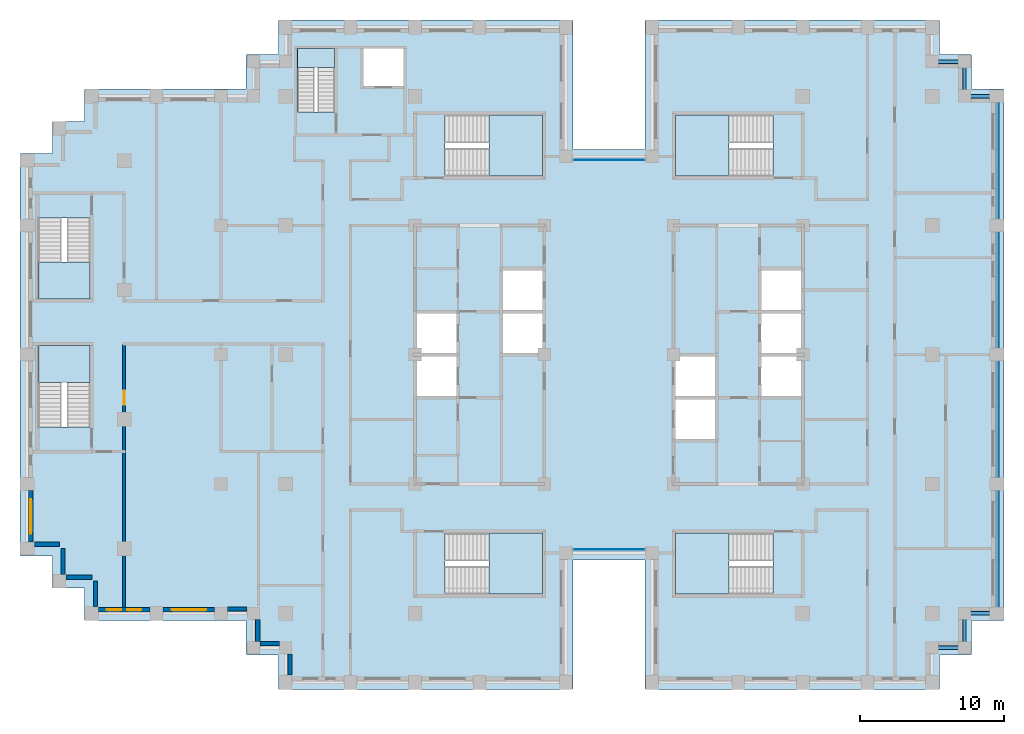
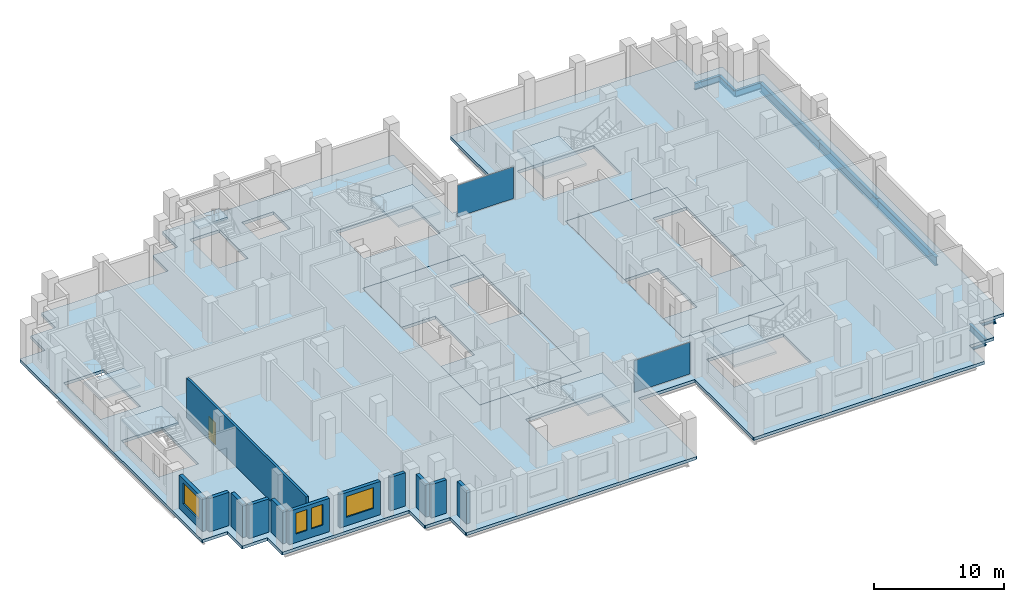
# One storey, part 5 of 15: 12 walls, 10 beams, 10 slabs, 4 windows, 2 plates, 1 door, 5 openings, 9 elements without a shape of their own.
"""IFC4 building model written with IfcOpenShell, lengths in metres."""

from ifc_helpers import new_model, si_unit, direction, frame, frame_2d, origin, origin_2d, place, context, subcontext, project, spatial, polyline, rectangle, i_section, outline, extrude, material, layer, layer_set, material_profile, profile_set, type_object, element, fill, aggregate, save


model = new_model("IFC4")

# Units and contexts
model_context = context("Model", 3, precision=1e-05, world=origin(), true_north=direction((0.0, 1.0)))
body_context = subcontext(model_context, "Body", "Model", "MODEL_VIEW")
ifc_project = project(units=[si_unit("LENGTHUNIT", "METRE"), si_unit("AREAUNIT", "SQUARE_METRE"), si_unit("VOLUMEUNIT", "CUBIC_METRE"), si_unit("PLANEANGLEUNIT", "RADIAN"), si_unit("MASSUNIT", "GRAM", prefix="KILO")], contexts=[model_context])

# Site, building, storey
site_placement = place(None, origin())
site = spatial("IfcSite", under=ifc_project, at=site_placement, CompositionType="ELEMENT")
building_placement = place(site_placement, origin())
building = spatial("IfcBuilding", under=site, at=building_placement, Name="Corbelhall Arena Tower", CompositionType="ELEMENT")
storey_placement = place(building_placement, frame((0.0, 0.0, 192.0)))
storey = spatial("IfcBuildingStorey", under=building, at=storey_placement, Name="L39", CompositionType="ELEMENT", Elevation=192.0)

# Beams
ifc_material_1 = material(Name="Steel ASTM A992 Gr50", Category="steel")
ifc_material_profile_1 = material_profile(ifc_material_1, i_section(OverallWidth=0.228271484375, OverallDepth=0.607177734375, WebThickness=0.01123046875, FlangeThickness=0.017333984375, at=origin_2d()))
ifc_profile_set_1 = profile_set([ifc_material_profile_1], Name="Steel ASTM A992 Gr50")
beam_type_1 = type_object("IfcBeamType", Name="ST-SPANDREL-W24x76", PredefinedType="SPANDREL", material=ifc_profile_set_1)
for number, where, z_axis, x_axis, name in (
    (1, (27.0, -18.0, -0.58349609375), (-1.0, 0.0, 0.0), (0.0, -1.0, 0.0), "Beam SP 12"),
    (2, (22.5, 20.39990234375, -0.58349609375), (1.0, 0.0, 0.0), (0.0, 1.0, 0.0), "Beam SP 39"),
):
    element("IfcBeam", number, at=place(storey_placement, frame(where, z_axis=z_axis, x_axis=x_axis)), inside=storey, type_object=beam_type_1, Name=name, PredefinedType="SPANDREL", context=body_context, shape_type="SweptSolid", body=[
        extrude(i_section(OverallWidth=0.228271484375, OverallDepth=0.607177734375, WebThickness=0.01123046875, FlangeThickness=0.017333984375, at=origin_2d()), origin(), (0.0, 0.0, 1.0), 2.25),
    ])
beam_1_placement = place(storey_placement, frame((24.75, 20.39990234375, -0.58349609375), z_axis=(0.0, -1.0, 0.0), x_axis=(1.0, 0.0, 0.0)))
element("IfcBeam", 3, at=beam_1_placement, inside=storey, type_object=beam_type_1, Name="Beam SP 40", PredefinedType="SPANDREL", context=body_context, shape_type="SweptSolid", body=[
    extrude(i_section(OverallWidth=0.228271484375, OverallDepth=0.607177734375, WebThickness=0.01123046875, FlangeThickness=0.017333984375, at=origin_2d()), origin(), (0.0, 0.0, 1.0), 2.39990234375),
])
for number, where, z_axis, x_axis, name in (
    (4, (24.75, 18.0, -0.58349609375), (1.0, 0.0, 0.0), (0.0, 1.0, 0.0), "Beam SP 41"),
    (5, (24.75, -20.39990234375, -0.58349609375), (-1.0, 0.0, 0.0), (0.0, -1.0, 0.0), "Beam SP 46"),
):
    element("IfcBeam", number, at=place(storey_placement, frame(where, z_axis=z_axis, x_axis=x_axis)), inside=storey, type_object=beam_type_1, Name=name, PredefinedType="SPANDREL", context=body_context, shape_type="SweptSolid", body=[
        extrude(i_section(OverallWidth=0.228271484375, OverallDepth=0.607177734375, WebThickness=0.01123046875, FlangeThickness=0.017333984375, at=origin_2d()), origin(), (0.0, 0.0, 1.0), 2.25),
    ])
beam_2_placement = place(storey_placement, frame((24.75, -18.0, -0.58349609375), z_axis=(0.0, -1.0, 0.0), x_axis=(1.0, 0.0, 0.0)))
element("IfcBeam", 6, at=beam_2_placement, inside=storey, type_object=beam_type_1, Name="Beam SP 47", PredefinedType="SPANDREL", context=body_context, shape_type="SweptSolid", body=[
    extrude(i_section(OverallWidth=0.228271484375, OverallDepth=0.607177734375, WebThickness=0.01123046875, FlangeThickness=0.017333984375, at=origin_2d()), origin(), (0.0, 0.0, 1.0), 2.39990234375),
])
ifc_material_profile_2 = material_profile(ifc_material_1, i_section(OverallWidth=0.2919921875, OverallDepth=0.845703125, WebThickness=0.015380859375, FlangeThickness=0.0244140625, at=origin_2d()))
ifc_profile_set_2 = profile_set([ifc_material_profile_2], Name="Steel ASTM A992 Gr50")
beam_type_2 = type_object("IfcBeamType", Name="ST-SPANDREL-W33x141", PredefinedType="SPANDREL", material=ifc_profile_set_2)
for number, where, z_axis, x_axis, name in (
    (7, (27.0, 0.0, -0.702880859375), (0.0, -1.0, 0.0), (1.0, 0.0, 0.0), "Beam SP 8"),
    (8, (27.0, 9.0, -0.702880859375), (0.0, -1.0, 0.0), (1.0, 0.0, 0.0), "Beam SP 9"),
    (9, (27.0, 18.0, -0.702880859375), (0.0, -1.0, 0.0), (1.0, 0.0, 0.0), "Beam SP 10"),
    (10, (27.0, -9.0, -0.702880859375), (0.0, -1.0, 0.0), (1.0, 0.0, 0.0), "Beam SP 11"),
):
    element("IfcBeam", number, at=place(storey_placement, frame(where, z_axis=z_axis, x_axis=x_axis)), inside=storey, type_object=beam_type_2, Name=name, PredefinedType="SPANDREL", context=body_context, shape_type="SweptSolid", body=[
        extrude(i_section(OverallWidth=0.2919921875, OverallDepth=0.845703125, WebThickness=0.015380859375, FlangeThickness=0.0244140625, at=origin_2d()), origin(), (0.0, 0.0, 1.0), 9.0),
    ])

# Curtain wall, plate
ifc_material_2 = material(Name="Aluminium black anodised", Category="aluminium")
ifc_layer_1 = layer(ifc_material_2, 0.199951171875)
ifc_layer_set_1 = layer_set([ifc_layer_1], Name="EV-CW1 Slot back wall")
curtain_wall_type = type_object("IfcCurtainWallType", Name="EV-CW1 Slot back wall", PredefinedType="NOTDEFINED", material=ifc_layer_set_1)
curtain_wall_1_placement = place(storey_placement, origin())
curtain_wall_1 = element("IfcCurtainWall", 11, at=curtain_wall_1_placement, inside=storey, type_object=curtain_wall_type, Name="Curtain wall CW1", PredefinedType="NOTDEFINED")
ifc_material_3 = material(Name="Glass dark tinted laminated", Category="glass")
ifc_layer_2 = layer(ifc_material_3, 0.028076171875)
ifc_layer_set_2 = layer_set([ifc_layer_2], Name="EV-CW1-PANEL")
plate_type = type_object("IfcPlateType", Name="EV-CW1-PANEL", PredefinedType="CURTAIN_PANEL", material=ifc_layer_set_2)
plate_1_placement = place(storey_placement, frame((0.0, -13.550048828125, 0.0751953125), z_axis=(0.0, 0.0, 1.0), x_axis=(1.0, 0.0, 0.0)))
plate_1 = element("IfcPlate", 12, at=plate_1_placement, type_object=plate_type, Name="CW1 panel 1.1", PredefinedType="CURTAIN_PANEL", context=body_context, shape_type="SweptSolid", body=[
    extrude(rectangle(XDim=4.949951171875, YDim=0.028076171875, at=origin_2d()), origin(), (0.0, 0.0, 1.0), 2.969970703125),
])
aggregate(curtain_wall_1, [plate_1])

curtain_wall_2_placement = place(storey_placement, origin())
curtain_wall_2 = element("IfcCurtainWall", 13, at=curtain_wall_2_placement, inside=storey, type_object=curtain_wall_type, Name="Curtain wall CW1", PredefinedType="NOTDEFINED")
plate_2_placement = place(storey_placement, frame((0.0, 13.550048828125, 0.0751953125), z_axis=(0.0, 0.0, 1.0), x_axis=(-1.0, 0.0, 0.0)))
plate_2 = element("IfcPlate", 14, at=plate_2_placement, type_object=plate_type, Name="CW1 panel 1.1", PredefinedType="CURTAIN_PANEL", context=body_context, shape_type="SweptSolid", body=[
    extrude(rectangle(XDim=4.949951171875, YDim=0.028076171875, at=origin_2d()), origin(), (0.0, 0.0, 1.0), 2.969970703125),
])
aggregate(curtain_wall_2, [plate_2])

# Slabs
ifc_material_4 = material(Name="Concrete C40/50", Category="concrete")
ifc_layer_3 = layer(ifc_material_4, 0.300048828125)
ifc_layer_set_3 = layer_set([ifc_layer_3], Name="IN-SL-CORE")
slab_type_1 = type_object("IfcSlabType", Name="IN-SL-CORE", PredefinedType="FLOOR", material=ifc_layer_set_3)
slab_1_placement = place(storey_placement, frame((0.0, 0.0, -0.280029296875)))
element("IfcSlab", 15, at=slab_1_placement, inside=storey, type_object=slab_type_1, Name="Core floor W", PredefinedType="FLOOR", context=body_context, shape_type="SweptSolid", body=[
    extrude(outline(polyline([(-10.5, -3.0), (-13.5, -3.0), (-13.5, -9.0), (-4.5, -9.0), (-4.5, 0.0), (-7.5, 0.0), (-7.5, 3.0), (-7.5, 6.0), (-4.5, 6.0), (-4.5, 9.0), (-13.5, 9.0), (-13.5, 3.0), (-10.5, 3.0), (-10.5, 0.0), (-10.5, -3.0)])), origin(), (0.0, 0.0, 1.0), 0.280029296875),
])
slab_2_placement = place(storey_placement, frame((0.0, 0.0, -0.280029296875)))
element("IfcSlab", 16, at=slab_2_placement, inside=storey, type_object=slab_type_1, Name="Core floor E", PredefinedType="FLOOR", context=body_context, shape_type="SweptSolid", body=[
    extrude(outline(polyline([(13.5, -3.0), (10.5, -3.0), (10.5, 0.0), (10.5, 3.0), (10.5, 6.0), (13.5, 6.0), (13.5, 9.0), (4.5, 9.0), (4.5, 0.0), (7.5, 0.0), (7.5, -3.0), (7.5, -6.0), (4.5, -6.0), (4.5, -9.0), (13.5, -9.0), (13.5, -3.0)])), origin(), (0.0, 0.0, 1.0), 0.280029296875),
])

# Stair, slab
stair_type = type_object("IfcStairType", Name="IN-ST-TOWER", PredefinedType="HALF_TURN_STAIR", material=ifc_material_4)
stair_1_placement = place(storey_placement, origin())
stair_1 = element("IfcStair", 17, at=stair_1_placement, inside=storey, type_object=stair_type, Name="L39 Exit stair ST1", PredefinedType="HALF_TURN_STAIR")
ifc_layer_4 = layer(ifc_material_4, 0.199951171875)
ifc_layer_set_4 = layer_set([ifc_layer_4], Name="IN-SL-LANDING")
slab_type_2 = type_object("IfcSlabType", Name="IN-SL-LANDING", PredefinedType="LANDING", material=ifc_layer_set_4)
slab_3_placement = place(storey_placement, frame((0.0, 0.0, 1.800048828125)))
slab_3 = element("IfcSlab", 18, at=slab_3_placement, type_object=slab_type_2, Name="ST1 landing 1", PredefinedType="LANDING", context=body_context, shape_type="SweptSolid", body=[
    extrude(outline(polyline([(-8.344970703125, 12.425048828125), (-4.625, 12.425048828125), (-4.625, 16.675048828125), (-8.344970703125, 16.675048828125), (-8.344970703125, 12.425048828125)])), origin(), (0.0, 0.0, 1.0), 0.199951171875),
])
aggregate(stair_1, [slab_3])

stair_2_placement = place(storey_placement, origin())
stair_2 = element("IfcStair", 19, at=stair_2_placement, inside=storey, type_object=stair_type, Name="L39 Exit stair ST2", PredefinedType="HALF_TURN_STAIR")
slab_4_placement = place(storey_placement, frame((0.0, 0.0, 1.800048828125)))
slab_4 = element("IfcSlab", 20, at=slab_4_placement, type_object=slab_type_2, Name="ST2 landing 1", PredefinedType="LANDING", context=body_context, shape_type="SweptSolid", body=[
    extrude(outline(polyline([(-8.344970703125, -16.675048828125), (-4.625, -16.675048828125), (-4.625, -12.425048828125), (-8.344970703125, -12.425048828125), (-8.344970703125, -16.675048828125)])), origin(), (0.0, 0.0, 1.0), 0.199951171875),
])
aggregate(stair_2, [slab_4])

stair_3_placement = place(storey_placement, origin())
stair_3 = element("IfcStair", 21, at=stair_3_placement, inside=storey, type_object=stair_type, Name="L39 Exit stair ST3", PredefinedType="HALF_TURN_STAIR")
slab_5_placement = place(storey_placement, frame((0.0, 0.0, 1.800048828125)))
slab_5 = element("IfcSlab", 22, at=slab_5_placement, type_object=slab_type_2, Name="ST3 landing 1", PredefinedType="LANDING", context=body_context, shape_type="SweptSolid", body=[
    extrude(outline(polyline([(8.344970703125, 16.675048828125), (4.625, 16.675048828125), (4.625, 12.425048828125), (8.344970703125, 12.425048828125), (8.344970703125, 16.675048828125)])), origin(), (0.0, 0.0, 1.0), 0.199951171875),
])
aggregate(stair_3, [slab_5])

stair_4_placement = place(storey_placement, origin())
stair_4 = element("IfcStair", 23, at=stair_4_placement, inside=storey, type_object=stair_type, Name="L39 Exit stair ST4", PredefinedType="HALF_TURN_STAIR")
slab_6_placement = place(storey_placement, frame((0.0, 0.0, 1.800048828125)))
slab_6 = element("IfcSlab", 24, at=slab_6_placement, type_object=slab_type_2, Name="ST4 landing 1", PredefinedType="LANDING", context=body_context, shape_type="SweptSolid", body=[
    extrude(outline(polyline([(8.344970703125, -12.425048828125), (4.625, -12.425048828125), (4.625, -16.675048828125), (8.344970703125, -16.675048828125), (8.344970703125, -12.425048828125)])), origin(), (0.0, 0.0, 1.0), 0.199951171875),
])
aggregate(stair_4, [slab_6])

stair_5_placement = place(storey_placement, origin())
stair_5 = element("IfcStair", 25, at=stair_5_placement, inside=storey, type_object=stair_type, Name="L39 Exit stair SC1", PredefinedType="HALF_TURN_STAIR")
slab_7_placement = place(storey_placement, frame((0.0, 0.0, 1.800048828125)))
slab_7 = element("IfcSlab", 26, at=slab_7_placement, type_object=slab_type_2, Name="SC1 landing 1", PredefinedType="LANDING", context=body_context, shape_type="SweptSolid", body=[
    extrude(outline(polyline([(-39.699951171875, 6.445068359375), (-39.699951171875, 3.875), (-36.125, 3.875), (-36.125, 6.445068359375), (-39.699951171875, 6.445068359375)])), origin(), (0.0, 0.0, 1.0), 0.199951171875),
])
aggregate(stair_5, [slab_7])

stair_6_placement = place(storey_placement, origin())
stair_6 = element("IfcStair", 27, at=stair_6_placement, inside=storey, type_object=stair_type, Name="L39 Exit stair SC2", PredefinedType="HALF_TURN_STAIR")
slab_8_placement = place(storey_placement, frame((0.0, 0.0, 1.800048828125)))
slab_8 = element("IfcSlab", 28, at=slab_8_placement, type_object=slab_type_2, Name="SC2 landing 1", PredefinedType="LANDING", context=body_context, shape_type="SweptSolid", body=[
    extrude(outline(polyline([(-36.125, -1.945068359375), (-36.125, 0.625), (-39.699951171875, 0.625), (-39.699951171875, -1.945068359375), (-36.125, -1.945068359375)])), origin(), (0.0, 0.0, 1.0), 0.199951171875),
])
aggregate(stair_6, [slab_8])

stair_7_placement = place(storey_placement, origin())
stair_7 = element("IfcStair", 29, at=stair_7_placement, inside=storey, type_object=stair_type, Name="L39 Exit stair ST5", PredefinedType="HALF_TURN_STAIR")
slab_9_placement = place(storey_placement, frame((0.0, 0.0, 1.800048828125)))
slab_9 = element("IfcSlab", 30, at=slab_9_placement, type_object=slab_type_2, Name="ST5 landing 1", PredefinedType="LANDING", context=body_context, shape_type="SweptSolid", body=[
    extrude(outline(polyline([(-19.094970703125, 19.97998046875), (-19.094970703125, 21.300048828125), (-21.695068359375, 21.300048828125), (-21.695068359375, 19.97998046875), (-19.094970703125, 19.97998046875)])), origin(), (0.0, 0.0, 1.0), 0.199951171875),
])
aggregate(stair_7, [slab_9])

# Slab
ifc_layer_5 = layer(ifc_material_4, 0.280029296875)
ifc_layer_set_5 = layer_set([ifc_layer_5], Name="ST-SLAB-FLOOR-280")
slab_type_3 = type_object("IfcSlabType", Name="ST-SLAB-FLOOR-280", PredefinedType="FLOOR", material=ifc_layer_set_5)
slab_10_placement = place(storey_placement, frame((0.0, 0.0, -0.280029296875)))
element("IfcSlab", 31, at=slab_10_placement, inside=storey, type_object=slab_type_3, Name="Floor slab L39 1", PredefinedType="FLOOR", context=body_context, shape_type="SweptSolid", body=[
    extrude(outline(polyline([(23.0, 23.25), (22.949951171875, 23.300048828125), (2.550048828125, 23.300048828125), (2.5, 23.25), (2.5, 14.300048828125), (-2.5, 14.300048828125), (-2.5, 23.25), (-2.550048828125, 23.300048828125), (-22.949951171875, 23.300048828125), (-23.0, 23.25), (-23.0, 20.89990234375), (-25.199951171875, 20.89990234375), (-25.25, 20.85009765625), (-25.25, 18.5), (-36.449951171875, 18.5), (-36.5, 18.449951171875), (-36.5, 16.25), (-38.699951171875, 16.25), (-38.75, 16.199951171875), (-38.75, 14.0), (-40.949951171875, 14.0), (-41.0, 13.949951171875), (-41.0, -13.949951171875), (-40.949951171875, -14.0), (-38.75, -14.0), (-38.75, -16.199951171875), (-38.699951171875, -16.25), (-36.5, -16.25), (-36.5, -18.449951171875), (-36.449951171875, -18.5), (-25.25, -18.5), (-25.25, -20.85009765625), (-25.199951171875, -20.89990234375), (-23.0, -20.89990234375), (-23.0, -23.25), (-22.949951171875, -23.300048828125), (-2.550048828125, -23.300048828125), (-2.5, -23.25), (-2.5, -14.300048828125), (2.5, -14.300048828125), (2.5, -23.25), (2.550048828125, -23.300048828125), (22.949951171875, -23.300048828125), (23.0, -23.25), (23.0, -20.89990234375), (25.199951171875, -20.89990234375), (25.25, -20.85009765625), (25.25, -18.5), (27.449951171875, -18.5), (27.5, -18.449951171875), (27.5, 18.449951171875), (27.449951171875, 18.5), (25.25, 18.5), (25.25, 20.85009765625), (25.199951171875, 20.89990234375), (23.0, 20.89990234375), (23.0, 23.25)]), holes=[polyline([(-4.5, -9.0), (-4.5, 9.0), (-13.5, 9.0), (-13.5, -9.0), (-4.5, -9.0)]), polyline([(13.5, -9.0), (13.5, 9.0), (4.5, 9.0), (4.5, -9.0), (13.5, -9.0)]), polyline([(-11.422119140625, 12.425048828125), (-4.625, 12.425048828125), (-4.625, 16.675048828125), (-11.422119140625, 16.675048828125), (-11.422119140625, 12.425048828125)]), polyline([(-11.422119140625, -12.425048828125), (-11.422119140625, -16.675048828125), (-4.625, -16.675048828125), (-4.625, -12.425048828125), (-11.422119140625, -12.425048828125)]), polyline([(4.625, 12.425048828125), (11.422119140625, 12.425048828125), (11.422119140625, 16.675048828125), (4.625, 16.675048828125), (4.625, 12.425048828125)]), polyline([(4.625, -12.425048828125), (4.625, -16.675048828125), (11.422119140625, -16.675048828125), (11.422119140625, -12.425048828125), (4.625, -12.425048828125)]), polyline([(-39.699951171875, 9.52197265625), (-39.699951171875, 3.875), (-36.125, 3.875), (-36.125, 9.52197265625), (-39.699951171875, 9.52197265625)]), polyline([(-39.699951171875, -5.02197265625), (-36.125, -5.02197265625), (-36.125, 0.625), (-39.699951171875, 0.625), (-39.699951171875, -5.02197265625)]), polyline([(-21.695068359375, 21.300048828125), (-21.695068359375, 16.903076171875), (-19.094970703125, 16.903076171875), (-19.094970703125, 21.300048828125), (-21.695068359375, 21.300048828125)]), polyline([(-14.300048828125, 21.300048828125), (-17.10009765625, 21.300048828125), (-17.10009765625, 18.699951171875), (-14.300048828125, 18.699951171875), (-14.300048828125, 21.300048828125)])]), origin(), (0.0, 0.0, 1.0), 0.280029296875),
])

# Walls
ifc_material_5 = material(Name="Precast concrete C40/50 with granite facing", Category="masonry")
ifc_layer_6 = layer(ifc_material_5, 0.300048828125)
ifc_layer_set_6 = layer_set([ifc_layer_6], Name="EV-IW1 Infill panel 300")
wall_type_1 = type_object("IfcWallType", Name="EV-IW1 Infill panel 300", PredefinedType="SOLIDWALL", material=ifc_layer_set_6)
wall_1_placement = place(storey_placement, frame((-40.0, -13.199951171875, 0.0), z_axis=(0.0, 0.0, 1.0), x_axis=(1.0, 0.0, 0.0)))
element("IfcWall", 32, at=wall_1_placement, inside=storey, type_object=wall_type_1, Name="Infill panel IW1", PredefinedType="SOLIDWALL", context=body_context, shape_type="SweptSolid", body=[
    extrude(rectangle(XDim=1.75, YDim=0.300048828125, at=frame_2d((0.875, 0.0))), origin(), (0.0, 0.0, 1.0), 3.1201171875),
])
for number, where, z_axis, x_axis, name in (
    (33, (-38.0, -15.300048828125, 0.0), (0.0, 0.0, 1.0), (0.0, 1.0, 0.0), "Infill panel IW1"),
    (34, (-37.800048828125, -15.5, 0.0), (0.0, 0.0, 1.0), (1.0, 0.0, 0.0), "Infill panel IW1"),
    (35, (-35.75, -17.550048828125, 0.0), (0.0, 0.0, 1.0), (0.0, 1.0, 0.0), "Infill panel IW1"),
):
    element("IfcWall", number, at=place(storey_placement, frame(where, z_axis=z_axis, x_axis=x_axis)), inside=storey, type_object=wall_type_1, Name=name, PredefinedType="SOLIDWALL", context=body_context, shape_type="SweptSolid", body=[
        extrude(rectangle(XDim=1.800048828125, YDim=0.300048828125, at=frame_2d((0.89990234375, 0.0))), origin(), (0.0, 0.0, 1.0), 3.1201171875),
    ])

# Wall, opening, window
wall_2_placement = place(storey_placement, frame((-40.25, -9.449951171875, 0.0), z_axis=(0.0, 0.0, 1.0), x_axis=(0.0, -1.0, 0.0)))
wall_2 = element("IfcWall", 36, at=wall_2_placement, inside=storey, type_object=wall_type_1, Name="Infill panel IW1", PredefinedType="SOLIDWALL", context=body_context, shape_type="SweptSolid", body=[
    extrude(rectangle(XDim=3.60009765625, YDim=0.300048828125, at=frame_2d((1.800048828125, 0.0))), origin(), (0.0, 0.0, 1.0), 3.1201171875),
])
opening_1_placement = place(wall_2_placement, frame((0.60009765625, 0.0, 0.800048828125)))
opening_1 = element("IfcOpeningElement", 37, at=opening_1_placement, cuts=wall_2, Name="Opening WN1", PredefinedType="OPENING", context=body_context, shape_type="SweptSolid", body=[
    extrude(rectangle(XDim=2.39990234375, YDim=1.949951171875, at=frame_2d((1.199951171875, 0.97509765625))), frame((0.0, 0.14990234375, 0.0), z_axis=(0.0, -1.0, 0.0), x_axis=(1.0, 0.0, 0.0)), (0.0, 0.0, 1.0), 0.300048828125),
])
window_type_1 = type_object("IfcWindowType", Name="EV-WN1 Office window", PartitioningType="SINGLE_PANEL", PredefinedType="WINDOW", material=ifc_material_2)
window_1_placement = place(opening_1_placement, origin())
window_1 = element("IfcWindow", 38, at=window_1_placement, inside=storey, type_object=window_type_1, Name="Window WN1", OverallHeight=1.949951171875, OverallWidth=2.39990234375, PartitioningType="SINGLE_PANEL", PredefinedType="WINDOW", context=body_context, shape_type="SweptSolid", body=[
    extrude(rectangle(XDim=2.39990234375, YDim=1.949951171875, at=frame_2d((1.199951171875, 0.97509765625))), frame((0.0, 0.030029296875, 0.0), z_axis=(0.0, -1.0, 0.0), x_axis=(1.0, 0.0, 0.0)), (0.0, 0.0, 1.0), 0.06005859375),
])
fill(opening_1, window_1)

# Wall, openings, windows
wall_3_placement = place(storey_placement, frame((-35.550048828125, -17.75, 0.0), z_axis=(0.0, 0.0, 1.0), x_axis=(1.0, 0.0, 0.0)))
wall_3 = element("IfcWall", 39, at=wall_3_placement, inside=storey, type_object=wall_type_1, Name="Infill panel IW1", PredefinedType="SOLIDWALL", context=body_context, shape_type="SweptSolid", body=[
    extrude(rectangle(XDim=3.60009765625, YDim=0.300048828125, at=frame_2d((1.800048828125, 0.0))), origin(), (0.0, 0.0, 1.0), 3.1201171875),
])
opening_2_placement = place(wall_3_placement, frame((0.60009765625, 0.0, 0.800048828125)))
opening_2 = element("IfcOpeningElement", 40, at=opening_2_placement, cuts=wall_3, Name="Opening WN6", PredefinedType="OPENING", context=body_context, shape_type="SweptSolid", body=[
    extrude(rectangle(XDim=1.0, YDim=1.949951171875, at=frame_2d((0.5, 0.97509765625))), frame((0.0, 0.14990234375, 0.0), z_axis=(0.0, -1.0, 0.0), x_axis=(1.0, 0.0, 0.0)), (0.0, 0.0, 1.0), 0.300048828125),
])
opening_3_placement = place(wall_3_placement, frame((2.0, 0.0, 0.800048828125)))
opening_3 = element("IfcOpeningElement", 41, at=opening_3_placement, cuts=wall_3, Name="Opening WN6", PredefinedType="OPENING", context=body_context, shape_type="SweptSolid", body=[
    extrude(rectangle(XDim=1.0, YDim=1.949951171875, at=frame_2d((0.5, 0.97509765625))), frame((0.0, 0.14990234375, 0.0), z_axis=(0.0, -1.0, 0.0), x_axis=(1.0, 0.0, 0.0)), (0.0, 0.0, 1.0), 0.300048828125),
])
window_type_2 = type_object("IfcWindowType", Name="EV-WN6 Office window 1000", PartitioningType="SINGLE_PANEL", PredefinedType="WINDOW", material=ifc_material_2)
window_2_placement = place(opening_2_placement, origin())
window_2 = element("IfcWindow", 42, at=window_2_placement, inside=storey, type_object=window_type_2, Name="Window WN6", OverallHeight=1.949951171875, OverallWidth=1.0, PartitioningType="SINGLE_PANEL", PredefinedType="WINDOW", context=body_context, shape_type="SweptSolid", body=[
    extrude(rectangle(XDim=1.0, YDim=1.949951171875, at=frame_2d((0.5, 0.97509765625))), frame((0.0, 0.030029296875, 0.0), z_axis=(0.0, -1.0, 0.0), x_axis=(1.0, 0.0, 0.0)), (0.0, 0.0, 1.0), 0.06005859375),
])
fill(opening_2, window_2)
window_3_placement = place(opening_3_placement, origin())
window_3 = element("IfcWindow", 43, at=window_3_placement, inside=storey, type_object=window_type_2, Name="Window WN6", OverallHeight=1.949951171875, OverallWidth=1.0, PartitioningType="SINGLE_PANEL", PredefinedType="WINDOW", context=body_context, shape_type="SweptSolid", body=[
    extrude(rectangle(XDim=1.0, YDim=1.949951171875, at=frame_2d((0.5, 0.97509765625))), frame((0.0, 0.030029296875, 0.0), z_axis=(0.0, -1.0, 0.0), x_axis=(1.0, 0.0, 0.0)), (0.0, 0.0, 1.0), 0.06005859375),
])
fill(opening_3, window_3)

# Wall, opening, window
wall_4_placement = place(storey_placement, frame((-31.050048828125, -17.75, 0.0), z_axis=(0.0, 0.0, 1.0), x_axis=(1.0, 0.0, 0.0)))
wall_4 = element("IfcWall", 44, at=wall_4_placement, inside=storey, type_object=wall_type_1, Name="Infill panel IW1", PredefinedType="SOLIDWALL", context=body_context, shape_type="SweptSolid", body=[
    extrude(rectangle(XDim=3.60009765625, YDim=0.300048828125, at=frame_2d((1.800048828125, 0.0))), origin(), (0.0, 0.0, 1.0), 3.1201171875),
])
opening_4_placement = place(wall_4_placement, frame((0.60009765625, 0.0, 0.800048828125)))
opening_4 = element("IfcOpeningElement", 45, at=opening_4_placement, cuts=wall_4, Name="Opening WN1", PredefinedType="OPENING", context=body_context, shape_type="SweptSolid", body=[
    extrude(rectangle(XDim=2.39990234375, YDim=1.949951171875, at=frame_2d((1.199951171875, 0.97509765625))), frame((0.0, 0.14990234375, 0.0), z_axis=(0.0, -1.0, 0.0), x_axis=(1.0, 0.0, 0.0)), (0.0, 0.0, 1.0), 0.300048828125),
])
window_4_placement = place(opening_4_placement, origin())
window_4 = element("IfcWindow", 46, at=window_4_placement, inside=storey, type_object=window_type_1, Name="Window WN1", OverallHeight=1.949951171875, OverallWidth=2.39990234375, PartitioningType="SINGLE_PANEL", PredefinedType="WINDOW", context=body_context, shape_type="SweptSolid", body=[
    extrude(rectangle(XDim=2.39990234375, YDim=1.949951171875, at=frame_2d((1.199951171875, 0.97509765625))), frame((0.0, 0.030029296875, 0.0), z_axis=(0.0, -1.0, 0.0), x_axis=(1.0, 0.0, 0.0)), (0.0, 0.0, 1.0), 0.06005859375),
])
fill(opening_4, window_4)

# Walls
wall_5_placement = place(storey_placement, frame((-26.550048828125, -17.699951171875, 0.0), z_axis=(0.0, 0.0, 1.0), x_axis=(1.0, 0.0, 0.0)))
element("IfcWall", 47, at=wall_5_placement, inside=storey, type_object=wall_type_1, Name="Infill panel IW1", PredefinedType="SOLIDWALL", context=body_context, shape_type="SweptSolid", body=[
    extrude(rectangle(XDim=1.35009765625, YDim=0.300048828125, at=frame_2d((0.675048828125, 0.0))), origin(), (0.0, 0.0, 1.0), 3.1201171875),
])
wall_6_placement = place(storey_placement, frame((-24.449951171875, -18.449951171875, 0.0), z_axis=(0.0, 0.0, 1.0), x_axis=(0.0, -1.0, 0.0)))
element("IfcWall", 48, at=wall_6_placement, inside=storey, type_object=wall_type_1, Name="Infill panel IW1", PredefinedType="SOLIDWALL", context=body_context, shape_type="SweptSolid", body=[
    extrude(rectangle(XDim=1.5, YDim=0.300048828125, at=frame_2d((0.75, 0.0))), origin(), (0.0, 0.0, 1.0), 3.1201171875),
])
wall_7_placement = place(storey_placement, frame((-24.300048828125, -20.10009765625, 0.0), z_axis=(0.0, 0.0, 1.0), x_axis=(1.0, 0.0, 0.0)))
element("IfcWall", 49, at=wall_7_placement, inside=storey, type_object=wall_type_1, Name="Infill panel IW1", PredefinedType="SOLIDWALL", context=body_context, shape_type="SweptSolid", body=[
    extrude(rectangle(XDim=1.35009765625, YDim=0.300048828125, at=frame_2d((0.675048828125, 0.0))), origin(), (0.0, 0.0, 1.0), 3.1201171875),
])
wall_8_placement = place(storey_placement, frame((-22.199951171875, -20.85009765625, 0.0), z_axis=(0.0, 0.0, 1.0), x_axis=(0.0, -1.0, 0.0)))
element("IfcWall", 50, at=wall_8_placement, inside=storey, type_object=wall_type_1, Name="Infill panel IW1", PredefinedType="SOLIDWALL", context=body_context, shape_type="SweptSolid", body=[
    extrude(rectangle(XDim=1.449951171875, YDim=0.300048828125, at=frame_2d((0.72509765625, 0.0))), origin(), (0.0, 0.0, 1.0), 3.1201171875),
])

# Wall, opening, door
ifc_material_6 = material(Name="Gypsum board on steel stud, acoustic", Category="steel")
ifc_layer_7 = layer(ifc_material_6, 0.199951171875)
ifc_layer_set_7 = layer_set([ifc_layer_7], Name="IN-W-DM200")
wall_type_2 = type_object("IfcWallType", Name="IN-W-DM200", PredefinedType="PARTITIONING", material=ifc_layer_set_7)
wall_9_placement = place(storey_placement, frame((-33.75, 0.75, 0.0), z_axis=(0.0, 0.0, 1.0), x_axis=(0.0, -1.0, 0.0)))
wall_9 = element("IfcWall", 51, at=wall_9_placement, inside=storey, type_object=wall_type_2, Name="Partition 003", PredefinedType="PARTITIONING", context=body_context, shape_type="SweptSolid", body=[
    extrude(rectangle(XDim=18.35009765625, YDim=0.199951171875, at=frame_2d((9.175048828125, 0.0))), origin(), (0.0, 0.0, 1.0), 3.719970703125),
])
opening_5_placement = place(wall_9_placement, frame((3.25, 0.0, 0.0)))
opening_5 = element("IfcOpeningElement", 52, at=opening_5_placement, cuts=wall_9, Name="Opening 11046", PredefinedType="OPENING", context=body_context, shape_type="SweptSolid", body=[
    extrude(rectangle(XDim=1.0, YDim=2.10009765625, at=frame_2d((0.5, 1.050048828125))), frame((0.0, 0.10009765625, 0.0), z_axis=(0.0, -1.0, 0.0), x_axis=(1.0, 0.0, 0.0)), (0.0, 0.0, 1.0), 0.199951171875),
])
ifc_material_7 = material(Name="Steel door set", Category="steel")
door_type = type_object("IfcDoorType", Name="IN-D-SW100", OperationType="NOTDEFINED", PredefinedType="DOOR", material=ifc_material_7)
door_placement = place(opening_5_placement, origin())
door = element("IfcDoor", 53, at=door_placement, inside=storey, type_object=door_type, Name="Door 046", OperationType="SINGLE_SWING_LEFT", OverallHeight=2.10009765625, OverallWidth=1.0, PredefinedType="DOOR", context=body_context, shape_type="SweptSolid", body=[
    extrude(rectangle(XDim=1.0, YDim=2.10009765625, at=frame_2d((0.5, 1.050048828125))), frame((0.0, 0.02490234375, 0.0), z_axis=(0.0, -1.0, 0.0), x_axis=(1.0, 0.0, 0.0)), (0.0, 0.0, 1.0), 0.050048828125),
])
fill(opening_5, door)

save(model, "model.ifc")
